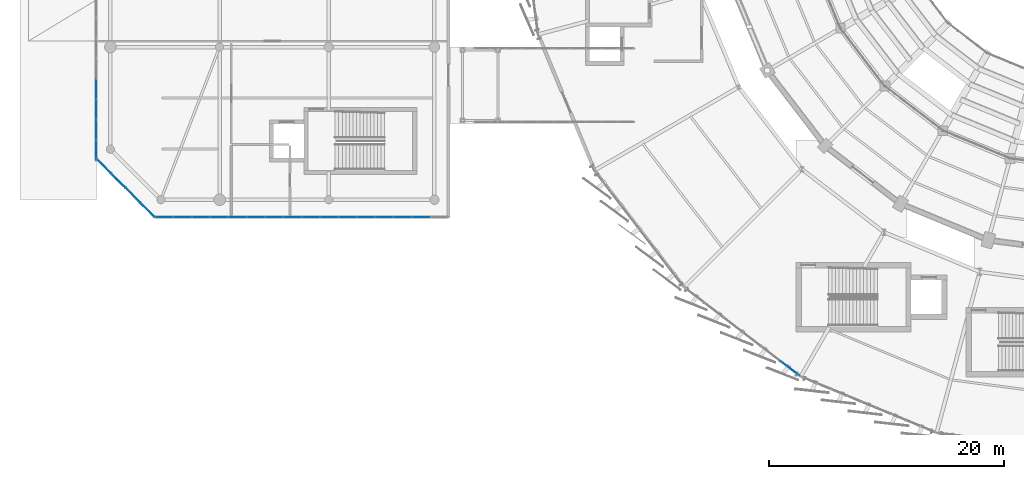
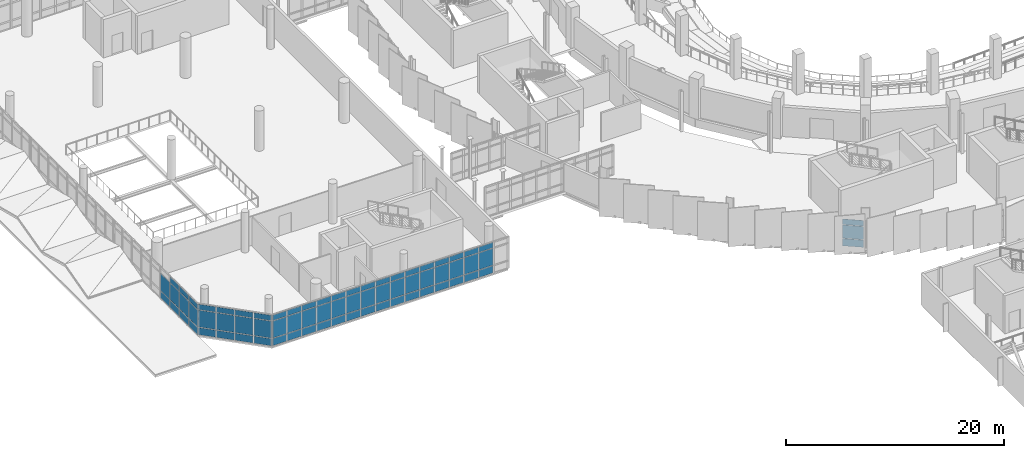
# One storey, part 82 of 134: 71 plates, 4 elements without a shape of their own.
"""IFC4 building model written with IfcOpenShell, lengths in metres."""

import ifcopenshell
import ifcopenshell.guid

model = None  # the IFC model being written
_history = None  # IfcOwnerHistory: only IFC2X3 demands one
_inside = {}  # id of a spatial element -> (the spatial element, [elements in it])
_under = {}  # id of a project, library or spatial element -> (it, [spatial elements below it])
_declared = {}  # id of a project -> (the project, [libraries it declares])
_typed = {}  # id of a type object -> (the type object, [elements of that type])
_made_of = {}  # id of a material, layer set ... -> (it, [elements and type objects made of it])


def new_model(schema):
    """Start an empty IFC model of exactly this schema.

    Asked for "IFC4X3", IfcOpenShell would pick the latest addendum, in which some entities
    have other attributes; the version numbers below select the first issue.
    IFC2X3 requires an IfcOwnerHistory on every rooted entity: one is made here for all.
    """
    global model, _history
    if schema == "IFC4X3":
        model = ifcopenshell.file(schema_version=(4, 3, 0, 0))
    else:
        model = ifcopenshell.file(schema=schema)
    _inside.clear()
    _under.clear()
    _declared.clear()
    _typed.clear()
    _made_of.clear()
    _history = None
    if model.schema == "IFC2X3":
        org = make("IfcOrganization", Name="unknown")
        user = make(
            "IfcPersonAndOrganization",
            ThePerson=make("IfcPerson", FamilyName="unknown"),
            TheOrganization=org,
        )
        app = make(
            "IfcApplication",
            ApplicationDeveloper=org,
            Version="unknown",
            ApplicationFullName="unknown",
            ApplicationIdentifier="unknown",
        )
        _history = make(
            "IfcOwnerHistory",
            OwningUser=user,
            OwningApplication=app,
            ChangeAction="ADDED",
            CreationDate=0,
        )
    return model


def make(cls, **values):
    """One entity of the class cls with the attributes given. An attribute that is None is left unset."""
    return model.create_entity(
        cls, **{name: value for name, value in values.items() if value is not None}
    )


def rooted(cls, **values):
    """An entity with a GlobalId (a new one), such as an element, a storey or a relation."""
    return make(cls, GlobalId=ifcopenshell.guid.new(), OwnerHistory=_history, **values)


def si_unit(unit_type, name, prefix=None):
    """IfcSIUnit, for example si_unit("LENGTHUNIT", "METRE", prefix="MILLI")."""
    return make("IfcSIUnit", UnitType=unit_type, Prefix=prefix, Name=name)


def assignment(units):
    """IfcUnitAssignment: the units of a project."""
    return None if units is None else make("IfcUnitAssignment", Units=units)


def point(xyz):
    """IfcCartesianPoint."""
    return None if xyz is None else make("IfcCartesianPoint", Coordinates=xyz)


def direction(xyz):
    """IfcDirection."""
    return None if xyz is None else make("IfcDirection", DirectionRatios=xyz)


def frame(location, z_axis=None, x_axis=None):
    """IfcAxis2Placement3D, a coordinate frame: its origin and axes. An axis left out is left unset."""
    return make(
        "IfcAxis2Placement3D",
        Location=point(location),
        Axis=direction(z_axis),
        RefDirection=direction(x_axis),
    )


def frame_2d(location, x_axis=None):
    """IfcAxis2Placement2D, a coordinate frame in the plane: its origin and x axis."""
    return make(
        "IfcAxis2Placement2D", Location=point(location), RefDirection=direction(x_axis)
    )


def origin():
    """The frame at (0, 0, 0) with its axes left unset."""
    return frame((0.0, 0.0, 0.0))


def origin_2d():
    """The frame at (0, 0) in the plane with its x axis left unset."""
    return frame_2d((0.0, 0.0))


def place(relative_to, where):
    """IfcLocalPlacement: puts the frame where relative to a parent placement (None: the world)."""
    return make(
        "IfcLocalPlacement", PlacementRelTo=relative_to, RelativePlacement=where
    )


def context(
    kind, dimensions, precision=None, world=None, true_north=None, identifier=None
):
    """IfcGeometricRepresentationContext, for example the 3D "Model" context."""
    return make(
        "IfcGeometricRepresentationContext",
        ContextIdentifier=identifier,
        ContextType=kind,
        CoordinateSpaceDimension=dimensions,
        Precision=precision,
        WorldCoordinateSystem=world,
        TrueNorth=true_north,
    )


def subcontext(parent, identifier, kind, view, scale=None):
    """IfcGeometricRepresentationSubContext, for example "Body" below "Model"."""
    return make(
        "IfcGeometricRepresentationSubContext",
        ContextIdentifier=identifier,
        ContextType=kind,
        ParentContext=parent,
        TargetScale=scale,
        TargetView=view,
    )


def project(units=None, contexts=None):
    """IfcProject with its units and contexts."""
    return rooted(
        "IfcProject",
        Name="project",
        RepresentationContexts=contexts,
        UnitsInContext=assignment(units),
    )


def spatial(cls, under=None, at=None, **own):
    """A site, building, storey or space (cls), placed at a placement, below another one or the project."""
    s = rooted(cls, ObjectPlacement=at, **own)
    if under is not None:
        _under.setdefault(under.id(), (under, []))[1].append(s)
    return s


def profile(cls, at=None, kind="AREA", **sizes):
    """A parametric profile (cls). Its sizes go by their IFC names, for example OverallWidth=200.0."""
    return make(cls, ProfileType=kind, Position=at, **sizes)


def rectangle(**sizes):
    """IfcRectangleProfileDef."""
    return profile("IfcRectangleProfileDef", **sizes)


def extrude(swept, where, along, depth):
    """IfcExtrudedAreaSolid: the profile swept, set in the frame where, extruded along a direction by depth."""
    return make(
        "IfcExtrudedAreaSolid",
        SweptArea=swept,
        Position=where,
        ExtrudedDirection=direction(along),
        Depth=depth,
    )


def shape(context_of_items, identifier, shape_type, items):
    """IfcShapeRepresentation: the items that make up one representation, for example the "Body"."""
    return make(
        "IfcShapeRepresentation",
        ContextOfItems=context_of_items,
        RepresentationIdentifier=identifier,
        RepresentationType=shape_type,
        Items=items,
    )


def material(Name=None, Category=None):
    """IfcMaterial."""
    return make("IfcMaterial", Name=Name, Category=Category)


def layer(
    of_material, thickness, ventilated=None, Name=None, Category=None, Priority=None
):
    """IfcMaterialLayer: one layer of a wall or slab, of a material (None: an air gap)."""
    return make(
        "IfcMaterialLayer",
        Material=of_material,
        LayerThickness=thickness,
        IsVentilated=ventilated,
        Name=Name,
        Category=Category,
        Priority=Priority,
    )


def layer_set(layers, Name=None):
    """IfcMaterialLayerSet."""
    return make("IfcMaterialLayerSet", MaterialLayers=layers, LayerSetName=Name)


def made_of(thing, what):
    """Note that an element or type object is made of a material, layer set ...; save() writes the relation."""
    if what is not None:
        _made_of.setdefault(what.id(), (what, []))[1].append(thing)
    return thing


def type_object(cls, material=None, **own):
    """A type object (cls), such as IfcWallType, which elements share."""
    return made_of(rooted(cls, **own), material)


def element(
    cls,
    number,
    at=None,
    inside=None,
    cuts=None,
    type_object=None,
    material=None,
    context=None,
    identifier="Body",
    shape_type=None,
    held_by="IfcProductDefinitionShape",
    body=None,
    shapes=None,
    **own,
):
    """One element of the class cls, such as IfcWall. Its Tag is "e" and its number.

    at: its placement. inside: the storey or other place that contains it. cuts: it is an
    opening in that element (IfcRelVoidsElement). A single representation is given by context,
    identifier, shape_type and body (its items); several are given by shapes. held_by: the class
    of the entity that holds the representations. save() writes the other relations.
    """
    e = rooted(cls, Tag="e%d" % number, ObjectPlacement=at, **own)
    if body is not None:
        shapes = [shape(context, identifier, shape_type, body)]
    if shapes is not None:
        e.Representation = make(held_by, Representations=shapes)
    if inside is not None:
        _inside.setdefault(inside.id(), (inside, []))[1].append(e)
    if cuts is not None:
        rooted(
            "IfcRelVoidsElement", RelatingBuildingElement=cuts, RelatedOpeningElement=e
        )
    if type_object is not None:
        _typed.setdefault(type_object.id(), (type_object, []))[1].append(e)
    return made_of(e, material)


def aggregate(whole, parts):
    """IfcRelAggregates: a whole, such as a stair, and the parts it consists of."""
    return rooted("IfcRelAggregates", RelatingObject=whole, RelatedObjects=parts)


def save(model, path):
    """Write the relations noted so far, then the file.

    IfcRelAggregates (storeys below a building ...), IfcRelContainedInSpatialStructure (elements
    in a storey), IfcRelDefinesByType, IfcRelAssociatesMaterial and IfcRelDeclares: one each for
    every whole, place, type object, material and project.
    """
    for whole, parts in _under.values():
        aggregate(whole, parts)
    for where, things in _inside.values():
        rooted(
            "IfcRelContainedInSpatialStructure",
            RelatedElements=things,
            RelatingStructure=where,
        )
    for kind, things in _typed.values():
        rooted("IfcRelDefinesByType", RelatedObjects=things, RelatingType=kind)
    for what, things in _made_of.values():
        rooted("IfcRelAssociatesMaterial", RelatedObjects=things, RelatingMaterial=what)
    for by, libraries in _declared.values():
        rooted("IfcRelDeclares", RelatingContext=by, RelatedDefinitions=libraries)
    model.write(path)


model = new_model("IFC4")

# Units and contexts
model_context = context("Model", 3, precision=1e-05, world=origin(), true_north=direction((0.0, 1.0)))
body_context = subcontext(model_context, "Body", "Model", "MODEL_VIEW")
ifc_project = project(units=[si_unit("LENGTHUNIT", "METRE"), si_unit("AREAUNIT", "SQUARE_METRE"), si_unit("VOLUMEUNIT", "CUBIC_METRE"), si_unit("PLANEANGLEUNIT", "RADIAN"), si_unit("MASSUNIT", "GRAM", prefix="KILO")], contexts=[model_context])

# Site, building, storey
site_placement = place(None, origin())
site = spatial("IfcSite", under=ifc_project, at=site_placement, CompositionType="ELEMENT")
building_placement = place(site_placement, origin())
building = spatial("IfcBuilding", under=site, at=building_placement, Name="Sohan Crest Arena", CompositionType="ELEMENT")
storey_placement = place(building_placement, frame((0.0, 0.0, 4.5)))
storey = spatial("IfcBuildingStorey", under=building, at=storey_placement, Name="L01", CompositionType="ELEMENT", Elevation=4.5)

# Curtain wall, plates
ifc_material_1 = material(Name="Thermally broken anodised aluminium", Category="aluminium")
ifc_layer_1 = layer(ifc_material_1, 0.199951171875, Name="Thermally broken anodised aluminium")
ifc_layer_set_1 = layer_set([ifc_layer_1], Name="Thermally broken anodised aluminium")
curtain_wall_type_1 = type_object("IfcCurtainWallType", Name="ARC-CW02", PredefinedType="NOTDEFINED", material=ifc_layer_set_1)
curtain_wall_1_placement = place(storey_placement, origin())
curtain_wall_1 = element("IfcCurtainWall", 1, at=curtain_wall_1_placement, inside=storey, type_object=curtain_wall_type_1, Name="Unitised curtain wall CW-206", PredefinedType="NOTDEFINED")
ifc_material_2 = material(Name="Low-E double-glazed insulated glass", Category="glass")
ifc_layer_2 = layer(ifc_material_2, 0.028076171875, Name="Low-E double-glazed insulated glass")
ifc_layer_set_2 = layer_set([ifc_layer_2], Name="Low-E double-glazed insulated glass")
plate_type_1 = type_object("IfcPlateType", Name="ARC-CNP01", PredefinedType="CURTAIN_PANEL", material=ifc_layer_set_2)
plate_1_placement = place(storey_placement, frame((19.797607421875, 50.0, 0.06005859375), z_axis=(0.0, 0.0, 1.0), x_axis=(1.0, 0.0, 0.0)))
plate_1 = element("IfcPlate", 2, at=plate_1_placement, type_object=plate_type_1, Name="CW-206 panel 1.1", PredefinedType="CURTAIN_PANEL", context=body_context, shape_type="SweptSolid", body=[
    extrude(rectangle(XDim=1.465087890625, YDim=0.028076171875, at=origin_2d()), origin(), (0.0, 0.0, 1.0), 0.81005859375),
])
plate_2_placement = place(storey_placement, frame((19.797607421875, 50.0, 0.93017578125), z_axis=(0.0, 0.0, 1.0), x_axis=(1.0, 0.0, 0.0)))
plate_2 = element("IfcPlate", 3, at=plate_2_placement, type_object=plate_type_1, Name="CW-206 panel 1.2", PredefinedType="CURTAIN_PANEL", context=body_context, shape_type="SweptSolid", body=[
    extrude(rectangle(XDim=1.465087890625, YDim=0.028076171875, at=origin_2d()), origin(), (0.0, 0.0, 1.0), 1.889892578125),
])
plate_3_placement = place(storey_placement, frame((19.797607421875, 50.0, 2.8798828125), z_axis=(0.0, 0.0, 1.0), x_axis=(1.0, 0.0, 0.0)))
plate_3 = element("IfcPlate", 4, at=plate_3_placement, type_object=plate_type_1, Name="CW-206 panel 1.3", PredefinedType="CURTAIN_PANEL", context=body_context, shape_type="SweptSolid", body=[
    extrude(rectangle(XDim=1.465087890625, YDim=0.028076171875, at=origin_2d()), origin(), (0.0, 0.0, 1.0), 0.610107421875),
])
plate_4_placement = place(storey_placement, frame((21.34375, 50.0, 0.06005859375), z_axis=(0.0, 0.0, 1.0), x_axis=(1.0, 0.0, 0.0)))
plate_4 = element("IfcPlate", 5, at=plate_4_placement, type_object=plate_type_1, Name="CW-206 panel 2.1", PredefinedType="CURTAIN_PANEL", context=body_context, shape_type="SweptSolid", body=[
    extrude(rectangle(XDim=1.49755859375, YDim=0.028076171875, at=origin_2d()), origin(), (0.0, 0.0, 1.0), 0.81005859375),
])
plate_5_placement = place(storey_placement, frame((21.34375, 50.0, 0.93017578125), z_axis=(0.0, 0.0, 1.0), x_axis=(1.0, 0.0, 0.0)))
plate_5 = element("IfcPlate", 6, at=plate_5_placement, type_object=plate_type_1, Name="CW-206 panel 2.2", PredefinedType="CURTAIN_PANEL", context=body_context, shape_type="SweptSolid", body=[
    extrude(rectangle(XDim=1.49755859375, YDim=0.028076171875, at=origin_2d()), origin(), (0.0, 0.0, 1.0), 1.889892578125),
])
plate_6_placement = place(storey_placement, frame((21.34375, 50.0, 2.8798828125), z_axis=(0.0, 0.0, 1.0), x_axis=(1.0, 0.0, 0.0)))
plate_6 = element("IfcPlate", 7, at=plate_6_placement, type_object=plate_type_1, Name="CW-206 panel 2.3", PredefinedType="CURTAIN_PANEL", context=body_context, shape_type="SweptSolid", body=[
    extrude(rectangle(XDim=1.49755859375, YDim=0.028076171875, at=origin_2d()), origin(), (0.0, 0.0, 1.0), 0.610107421875),
])
plate_7_placement = place(storey_placement, frame((22.90625, 50.0, 0.06005859375), z_axis=(0.0, 0.0, 1.0), x_axis=(1.0, 0.0, 0.0)))
plate_7 = element("IfcPlate", 8, at=plate_7_placement, type_object=plate_type_1, Name="CW-206 panel 3.1", PredefinedType="CURTAIN_PANEL", context=body_context, shape_type="SweptSolid", body=[
    extrude(rectangle(XDim=1.49755859375, YDim=0.028076171875, at=origin_2d()), origin(), (0.0, 0.0, 1.0), 0.81005859375),
])
plate_8_placement = place(storey_placement, frame((22.90625, 50.0, 0.93017578125), z_axis=(0.0, 0.0, 1.0), x_axis=(1.0, 0.0, 0.0)))
plate_8 = element("IfcPlate", 9, at=plate_8_placement, type_object=plate_type_1, Name="CW-206 panel 3.2", PredefinedType="CURTAIN_PANEL", context=body_context, shape_type="SweptSolid", body=[
    extrude(rectangle(XDim=1.49755859375, YDim=0.028076171875, at=origin_2d()), origin(), (0.0, 0.0, 1.0), 1.889892578125),
])
plate_9_placement = place(storey_placement, frame((22.90625, 50.0, 2.8798828125), z_axis=(0.0, 0.0, 1.0), x_axis=(1.0, 0.0, 0.0)))
plate_9 = element("IfcPlate", 10, at=plate_9_placement, type_object=plate_type_1, Name="CW-206 panel 3.3", PredefinedType="CURTAIN_PANEL", context=body_context, shape_type="SweptSolid", body=[
    extrude(rectangle(XDim=1.49755859375, YDim=0.028076171875, at=origin_2d()), origin(), (0.0, 0.0, 1.0), 0.610107421875),
])
plate_10_placement = place(storey_placement, frame((24.46875, 50.0, 0.06005859375), z_axis=(0.0, 0.0, 1.0), x_axis=(1.0, 0.0, 0.0)))
plate_10 = element("IfcPlate", 11, at=plate_10_placement, type_object=plate_type_1, Name="CW-206 panel 4.1", PredefinedType="CURTAIN_PANEL", context=body_context, shape_type="SweptSolid", body=[
    extrude(rectangle(XDim=1.49755859375, YDim=0.028076171875, at=origin_2d()), origin(), (0.0, 0.0, 1.0), 0.81005859375),
])
plate_11_placement = place(storey_placement, frame((24.46875, 50.0, 0.93017578125), z_axis=(0.0, 0.0, 1.0), x_axis=(1.0, 0.0, 0.0)))
plate_11 = element("IfcPlate", 12, at=plate_11_placement, type_object=plate_type_1, Name="CW-206 panel 4.2", PredefinedType="CURTAIN_PANEL", context=body_context, shape_type="SweptSolid", body=[
    extrude(rectangle(XDim=1.49755859375, YDim=0.028076171875, at=origin_2d()), origin(), (0.0, 0.0, 1.0), 1.889892578125),
])
plate_12_placement = place(storey_placement, frame((24.46875, 50.0, 2.8798828125), z_axis=(0.0, 0.0, 1.0), x_axis=(1.0, 0.0, 0.0)))
plate_12 = element("IfcPlate", 13, at=plate_12_placement, type_object=plate_type_1, Name="CW-206 panel 4.3", PredefinedType="CURTAIN_PANEL", context=body_context, shape_type="SweptSolid", body=[
    extrude(rectangle(XDim=1.49755859375, YDim=0.028076171875, at=origin_2d()), origin(), (0.0, 0.0, 1.0), 0.610107421875),
])
plate_13_placement = place(storey_placement, frame((26.03125, 50.0, 0.06005859375), z_axis=(0.0, 0.0, 1.0), x_axis=(1.0, 0.0, 0.0)))
plate_13 = element("IfcPlate", 14, at=plate_13_placement, type_object=plate_type_1, Name="CW-206 panel 5.1", PredefinedType="CURTAIN_PANEL", context=body_context, shape_type="SweptSolid", body=[
    extrude(rectangle(XDim=1.49755859375, YDim=0.028076171875, at=origin_2d()), origin(), (0.0, 0.0, 1.0), 0.81005859375),
])
plate_14_placement = place(storey_placement, frame((26.03125, 50.0, 0.93017578125), z_axis=(0.0, 0.0, 1.0), x_axis=(1.0, 0.0, 0.0)))
plate_14 = element("IfcPlate", 15, at=plate_14_placement, type_object=plate_type_1, Name="CW-206 panel 5.2", PredefinedType="CURTAIN_PANEL", context=body_context, shape_type="SweptSolid", body=[
    extrude(rectangle(XDim=1.49755859375, YDim=0.028076171875, at=origin_2d()), origin(), (0.0, 0.0, 1.0), 1.889892578125),
])
plate_15_placement = place(storey_placement, frame((26.03125, 50.0, 2.8798828125), z_axis=(0.0, 0.0, 1.0), x_axis=(1.0, 0.0, 0.0)))
plate_15 = element("IfcPlate", 16, at=plate_15_placement, type_object=plate_type_1, Name="CW-206 panel 5.3", PredefinedType="CURTAIN_PANEL", context=body_context, shape_type="SweptSolid", body=[
    extrude(rectangle(XDim=1.49755859375, YDim=0.028076171875, at=origin_2d()), origin(), (0.0, 0.0, 1.0), 0.610107421875),
])
plate_16_placement = place(storey_placement, frame((27.59375, 50.0, 0.06005859375), z_axis=(0.0, 0.0, 1.0), x_axis=(1.0, 0.0, 0.0)))
plate_16 = element("IfcPlate", 17, at=plate_16_placement, type_object=plate_type_1, Name="CW-206 panel 6.1", PredefinedType="CURTAIN_PANEL", context=body_context, shape_type="SweptSolid", body=[
    extrude(rectangle(XDim=1.49755859375, YDim=0.028076171875, at=origin_2d()), origin(), (0.0, 0.0, 1.0), 0.81005859375),
])
plate_17_placement = place(storey_placement, frame((27.59375, 50.0, 0.93017578125), z_axis=(0.0, 0.0, 1.0), x_axis=(1.0, 0.0, 0.0)))
plate_17 = element("IfcPlate", 18, at=plate_17_placement, type_object=plate_type_1, Name="CW-206 panel 6.2", PredefinedType="CURTAIN_PANEL", context=body_context, shape_type="SweptSolid", body=[
    extrude(rectangle(XDim=1.49755859375, YDim=0.028076171875, at=origin_2d()), origin(), (0.0, 0.0, 1.0), 1.889892578125),
])
plate_18_placement = place(storey_placement, frame((27.59375, 50.0, 2.8798828125), z_axis=(0.0, 0.0, 1.0), x_axis=(1.0, 0.0, 0.0)))
plate_18 = element("IfcPlate", 19, at=plate_18_placement, type_object=plate_type_1, Name="CW-206 panel 6.3", PredefinedType="CURTAIN_PANEL", context=body_context, shape_type="SweptSolid", body=[
    extrude(rectangle(XDim=1.49755859375, YDim=0.028076171875, at=origin_2d()), origin(), (0.0, 0.0, 1.0), 0.610107421875),
])
plate_19_placement = place(storey_placement, frame((29.15625, 50.0, 0.06005859375), z_axis=(0.0, 0.0, 1.0), x_axis=(1.0, 0.0, 0.0)))
plate_19 = element("IfcPlate", 20, at=plate_19_placement, type_object=plate_type_1, Name="CW-206 panel 7.1", PredefinedType="CURTAIN_PANEL", context=body_context, shape_type="SweptSolid", body=[
    extrude(rectangle(XDim=1.49755859375, YDim=0.028076171875, at=origin_2d()), origin(), (0.0, 0.0, 1.0), 0.81005859375),
])
plate_20_placement = place(storey_placement, frame((29.15625, 50.0, 0.93017578125), z_axis=(0.0, 0.0, 1.0), x_axis=(1.0, 0.0, 0.0)))
plate_20 = element("IfcPlate", 21, at=plate_20_placement, type_object=plate_type_1, Name="CW-206 panel 7.2", PredefinedType="CURTAIN_PANEL", context=body_context, shape_type="SweptSolid", body=[
    extrude(rectangle(XDim=1.49755859375, YDim=0.028076171875, at=origin_2d()), origin(), (0.0, 0.0, 1.0), 1.889892578125),
])
plate_21_placement = place(storey_placement, frame((29.15625, 50.0, 2.8798828125), z_axis=(0.0, 0.0, 1.0), x_axis=(1.0, 0.0, 0.0)))
plate_21 = element("IfcPlate", 22, at=plate_21_placement, type_object=plate_type_1, Name="CW-206 panel 7.3", PredefinedType="CURTAIN_PANEL", context=body_context, shape_type="SweptSolid", body=[
    extrude(rectangle(XDim=1.49755859375, YDim=0.028076171875, at=origin_2d()), origin(), (0.0, 0.0, 1.0), 0.610107421875),
])
plate_22_placement = place(storey_placement, frame((30.71875, 50.0, 0.06005859375), z_axis=(0.0, 0.0, 1.0), x_axis=(1.0, 0.0, 0.0)))
plate_22 = element("IfcPlate", 23, at=plate_22_placement, type_object=plate_type_1, Name="CW-206 panel 8.1", PredefinedType="CURTAIN_PANEL", context=body_context, shape_type="SweptSolid", body=[
    extrude(rectangle(XDim=1.49755859375, YDim=0.028076171875, at=origin_2d()), origin(), (0.0, 0.0, 1.0), 0.81005859375),
])
plate_23_placement = place(storey_placement, frame((30.71875, 50.0, 0.93017578125), z_axis=(0.0, 0.0, 1.0), x_axis=(1.0, 0.0, 0.0)))
plate_23 = element("IfcPlate", 24, at=plate_23_placement, type_object=plate_type_1, Name="CW-206 panel 8.2", PredefinedType="CURTAIN_PANEL", context=body_context, shape_type="SweptSolid", body=[
    extrude(rectangle(XDim=1.49755859375, YDim=0.028076171875, at=origin_2d()), origin(), (0.0, 0.0, 1.0), 1.889892578125),
])
plate_24_placement = place(storey_placement, frame((30.71875, 50.0, 2.8798828125), z_axis=(0.0, 0.0, 1.0), x_axis=(1.0, 0.0, 0.0)))
plate_24 = element("IfcPlate", 25, at=plate_24_placement, type_object=plate_type_1, Name="CW-206 panel 8.3", PredefinedType="CURTAIN_PANEL", context=body_context, shape_type="SweptSolid", body=[
    extrude(rectangle(XDim=1.49755859375, YDim=0.028076171875, at=origin_2d()), origin(), (0.0, 0.0, 1.0), 0.610107421875),
])
plate_25_placement = place(storey_placement, frame((32.28125, 50.0, 0.06005859375), z_axis=(0.0, 0.0, 1.0), x_axis=(1.0, 0.0, 0.0)))
plate_25 = element("IfcPlate", 26, at=plate_25_placement, type_object=plate_type_1, Name="CW-206 panel 9.1", PredefinedType="CURTAIN_PANEL", context=body_context, shape_type="SweptSolid", body=[
    extrude(rectangle(XDim=1.49755859375, YDim=0.028076171875, at=origin_2d()), origin(), (0.0, 0.0, 1.0), 0.81005859375),
])
plate_26_placement = place(storey_placement, frame((32.28125, 50.0, 0.93017578125), z_axis=(0.0, 0.0, 1.0), x_axis=(1.0, 0.0, 0.0)))
plate_26 = element("IfcPlate", 27, at=plate_26_placement, type_object=plate_type_1, Name="CW-206 panel 9.2", PredefinedType="CURTAIN_PANEL", context=body_context, shape_type="SweptSolid", body=[
    extrude(rectangle(XDim=1.49755859375, YDim=0.028076171875, at=origin_2d()), origin(), (0.0, 0.0, 1.0), 1.889892578125),
])
plate_27_placement = place(storey_placement, frame((32.28125, 50.0, 2.8798828125), z_axis=(0.0, 0.0, 1.0), x_axis=(1.0, 0.0, 0.0)))
plate_27 = element("IfcPlate", 28, at=plate_27_placement, type_object=plate_type_1, Name="CW-206 panel 9.3", PredefinedType="CURTAIN_PANEL", context=body_context, shape_type="SweptSolid", body=[
    extrude(rectangle(XDim=1.49755859375, YDim=0.028076171875, at=origin_2d()), origin(), (0.0, 0.0, 1.0), 0.610107421875),
])
plate_28_placement = place(storey_placement, frame((33.84375, 50.0, 0.06005859375), z_axis=(0.0, 0.0, 1.0), x_axis=(1.0, 0.0, 0.0)))
plate_28 = element("IfcPlate", 29, at=plate_28_placement, type_object=plate_type_1, Name="CW-206 panel 10.1", PredefinedType="CURTAIN_PANEL", context=body_context, shape_type="SweptSolid", body=[
    extrude(rectangle(XDim=1.49755859375, YDim=0.028076171875, at=origin_2d()), origin(), (0.0, 0.0, 1.0), 0.81005859375),
])
plate_29_placement = place(storey_placement, frame((33.84375, 50.0, 0.93017578125), z_axis=(0.0, 0.0, 1.0), x_axis=(1.0, 0.0, 0.0)))
plate_29 = element("IfcPlate", 30, at=plate_29_placement, type_object=plate_type_1, Name="CW-206 panel 10.2", PredefinedType="CURTAIN_PANEL", context=body_context, shape_type="SweptSolid", body=[
    extrude(rectangle(XDim=1.49755859375, YDim=0.028076171875, at=origin_2d()), origin(), (0.0, 0.0, 1.0), 1.889892578125),
])
plate_30_placement = place(storey_placement, frame((33.84375, 50.0, 2.8798828125), z_axis=(0.0, 0.0, 1.0), x_axis=(1.0, 0.0, 0.0)))
plate_30 = element("IfcPlate", 31, at=plate_30_placement, type_object=plate_type_1, Name="CW-206 panel 10.3", PredefinedType="CURTAIN_PANEL", context=body_context, shape_type="SweptSolid", body=[
    extrude(rectangle(XDim=1.49755859375, YDim=0.028076171875, at=origin_2d()), origin(), (0.0, 0.0, 1.0), 0.610107421875),
])
plate_31_placement = place(storey_placement, frame((35.40625, 50.0, 0.06005859375), z_axis=(0.0, 0.0, 1.0), x_axis=(1.0, 0.0, 0.0)))
plate_31 = element("IfcPlate", 32, at=plate_31_placement, type_object=plate_type_1, Name="CW-206 panel 11.1", PredefinedType="CURTAIN_PANEL", context=body_context, shape_type="SweptSolid", body=[
    extrude(rectangle(XDim=1.49755859375, YDim=0.028076171875, at=origin_2d()), origin(), (0.0, 0.0, 1.0), 0.81005859375),
])
plate_32_placement = place(storey_placement, frame((35.40625, 50.0, 0.93017578125), z_axis=(0.0, 0.0, 1.0), x_axis=(1.0, 0.0, 0.0)))
plate_32 = element("IfcPlate", 33, at=plate_32_placement, type_object=plate_type_1, Name="CW-206 panel 11.2", PredefinedType="CURTAIN_PANEL", context=body_context, shape_type="SweptSolid", body=[
    extrude(rectangle(XDim=1.49755859375, YDim=0.028076171875, at=origin_2d()), origin(), (0.0, 0.0, 1.0), 1.889892578125),
])
plate_33_placement = place(storey_placement, frame((35.40625, 50.0, 2.8798828125), z_axis=(0.0, 0.0, 1.0), x_axis=(1.0, 0.0, 0.0)))
plate_33 = element("IfcPlate", 34, at=plate_33_placement, type_object=plate_type_1, Name="CW-206 panel 11.3", PredefinedType="CURTAIN_PANEL", context=body_context, shape_type="SweptSolid", body=[
    extrude(rectangle(XDim=1.49755859375, YDim=0.028076171875, at=origin_2d()), origin(), (0.0, 0.0, 1.0), 0.610107421875),
])
plate_34_placement = place(storey_placement, frame((36.96875, 50.0, 0.06005859375), z_axis=(0.0, 0.0, 1.0), x_axis=(1.0, 0.0, 0.0)))
plate_34 = element("IfcPlate", 35, at=plate_34_placement, type_object=plate_type_1, Name="CW-206 panel 12.1", PredefinedType="CURTAIN_PANEL", context=body_context, shape_type="SweptSolid", body=[
    extrude(rectangle(XDim=1.49755859375, YDim=0.028076171875, at=origin_2d()), origin(), (0.0, 0.0, 1.0), 0.81005859375),
])
plate_35_placement = place(storey_placement, frame((36.96875, 50.0, 0.93017578125), z_axis=(0.0, 0.0, 1.0), x_axis=(1.0, 0.0, 0.0)))
plate_35 = element("IfcPlate", 36, at=plate_35_placement, type_object=plate_type_1, Name="CW-206 panel 12.2", PredefinedType="CURTAIN_PANEL", context=body_context, shape_type="SweptSolid", body=[
    extrude(rectangle(XDim=1.49755859375, YDim=0.028076171875, at=origin_2d()), origin(), (0.0, 0.0, 1.0), 1.889892578125),
])
plate_36_placement = place(storey_placement, frame((36.96875, 50.0, 2.8798828125), z_axis=(0.0, 0.0, 1.0), x_axis=(1.0, 0.0, 0.0)))
plate_36 = element("IfcPlate", 37, at=plate_36_placement, type_object=plate_type_1, Name="CW-206 panel 12.3", PredefinedType="CURTAIN_PANEL", context=body_context, shape_type="SweptSolid", body=[
    extrude(rectangle(XDim=1.49755859375, YDim=0.028076171875, at=origin_2d()), origin(), (0.0, 0.0, 1.0), 0.610107421875),
])
plate_37_placement = place(storey_placement, frame((38.53125, 50.0, 0.06005859375), z_axis=(0.0, 0.0, 1.0), x_axis=(1.0, 0.0, 0.0)))
plate_37 = element("IfcPlate", 38, at=plate_37_placement, type_object=plate_type_1, Name="CW-206 panel 13.1", PredefinedType="CURTAIN_PANEL", context=body_context, shape_type="SweptSolid", body=[
    extrude(rectangle(XDim=1.49755859375, YDim=0.028076171875, at=origin_2d()), origin(), (0.0, 0.0, 1.0), 0.81005859375),
])
plate_38_placement = place(storey_placement, frame((38.53125, 50.0, 0.93017578125), z_axis=(0.0, 0.0, 1.0), x_axis=(1.0, 0.0, 0.0)))
plate_38 = element("IfcPlate", 39, at=plate_38_placement, type_object=plate_type_1, Name="CW-206 panel 13.2", PredefinedType="CURTAIN_PANEL", context=body_context, shape_type="SweptSolid", body=[
    extrude(rectangle(XDim=1.49755859375, YDim=0.028076171875, at=origin_2d()), origin(), (0.0, 0.0, 1.0), 1.889892578125),
])
plate_39_placement = place(storey_placement, frame((38.53125, 50.0, 2.8798828125), z_axis=(0.0, 0.0, 1.0), x_axis=(1.0, 0.0, 0.0)))
plate_39 = element("IfcPlate", 40, at=plate_39_placement, type_object=plate_type_1, Name="CW-206 panel 13.3", PredefinedType="CURTAIN_PANEL", context=body_context, shape_type="SweptSolid", body=[
    extrude(rectangle(XDim=1.49755859375, YDim=0.028076171875, at=origin_2d()), origin(), (0.0, 0.0, 1.0), 0.610107421875),
])
plate_40_placement = place(storey_placement, frame((40.09375, 50.0, 0.06005859375), z_axis=(0.0, 0.0, 1.0), x_axis=(1.0, 0.0, 0.0)))
plate_40 = element("IfcPlate", 41, at=plate_40_placement, type_object=plate_type_1, Name="CW-206 panel 14.1", PredefinedType="CURTAIN_PANEL", context=body_context, shape_type="SweptSolid", body=[
    extrude(rectangle(XDim=1.49755859375, YDim=0.028076171875, at=origin_2d()), origin(), (0.0, 0.0, 1.0), 0.81005859375),
])
plate_41_placement = place(storey_placement, frame((40.09375, 50.0, 0.93017578125), z_axis=(0.0, 0.0, 1.0), x_axis=(1.0, 0.0, 0.0)))
plate_41 = element("IfcPlate", 42, at=plate_41_placement, type_object=plate_type_1, Name="CW-206 panel 14.2", PredefinedType="CURTAIN_PANEL", context=body_context, shape_type="SweptSolid", body=[
    extrude(rectangle(XDim=1.49755859375, YDim=0.028076171875, at=origin_2d()), origin(), (0.0, 0.0, 1.0), 1.889892578125),
])
plate_42_placement = place(storey_placement, frame((40.09375, 50.0, 2.8798828125), z_axis=(0.0, 0.0, 1.0), x_axis=(1.0, 0.0, 0.0)))
plate_42 = element("IfcPlate", 43, at=plate_42_placement, type_object=plate_type_1, Name="CW-206 panel 14.3", PredefinedType="CURTAIN_PANEL", context=body_context, shape_type="SweptSolid", body=[
    extrude(rectangle(XDim=1.49755859375, YDim=0.028076171875, at=origin_2d()), origin(), (0.0, 0.0, 1.0), 0.610107421875),
])
plate_43_placement = place(storey_placement, frame((41.65625, 50.0, 0.06005859375), z_axis=(0.0, 0.0, 1.0), x_axis=(1.0, 0.0, 0.0)))
plate_43 = element("IfcPlate", 44, at=plate_43_placement, type_object=plate_type_1, Name="CW-206 panel 15.1", PredefinedType="CURTAIN_PANEL", context=body_context, shape_type="SweptSolid", body=[
    extrude(rectangle(XDim=1.49755859375, YDim=0.028076171875, at=origin_2d()), origin(), (0.0, 0.0, 1.0), 0.81005859375),
])
plate_44_placement = place(storey_placement, frame((41.65625, 50.0, 0.93017578125), z_axis=(0.0, 0.0, 1.0), x_axis=(1.0, 0.0, 0.0)))
plate_44 = element("IfcPlate", 45, at=plate_44_placement, type_object=plate_type_1, Name="CW-206 panel 15.2", PredefinedType="CURTAIN_PANEL", context=body_context, shape_type="SweptSolid", body=[
    extrude(rectangle(XDim=1.49755859375, YDim=0.028076171875, at=origin_2d()), origin(), (0.0, 0.0, 1.0), 1.889892578125),
])
plate_45_placement = place(storey_placement, frame((41.65625, 50.0, 2.8798828125), z_axis=(0.0, 0.0, 1.0), x_axis=(1.0, 0.0, 0.0)))
plate_45 = element("IfcPlate", 46, at=plate_45_placement, type_object=plate_type_1, Name="CW-206 panel 15.3", PredefinedType="CURTAIN_PANEL", context=body_context, shape_type="SweptSolid", body=[
    extrude(rectangle(XDim=1.49755859375, YDim=0.028076171875, at=origin_2d()), origin(), (0.0, 0.0, 1.0), 0.610107421875),
])
aggregate(curtain_wall_1, [plate_1, plate_2, plate_3, plate_4, plate_5, plate_6, plate_7, plate_8, plate_9, plate_10, plate_11, plate_12, plate_13, plate_14, plate_15, plate_16, plate_17, plate_18, plate_19, plate_20, plate_21, plate_22, plate_23, plate_24, plate_25, plate_26, plate_27, plate_28, plate_29, plate_30, plate_31, plate_32, plate_33, plate_34, plate_35, plate_36, plate_37, plate_38, plate_39, plate_40, plate_41, plate_42, plate_43, plate_44, plate_45])

ifc_layer_3 = layer(ifc_material_1, 0.219970703125, Name="Thermally broken anodised aluminium")
ifc_layer_set_3 = layer_set([ifc_layer_3], Name="Thermally broken anodised aluminium")
curtain_wall_type_2 = type_object("IfcCurtainWallType", Name="ARC-CW03", PredefinedType="NOTDEFINED", material=ifc_layer_set_3)
curtain_wall_2_placement = place(storey_placement, origin())
curtain_wall_2 = element("IfcCurtainWall", 47, at=curtain_wall_2_placement, inside=storey, type_object=curtain_wall_type_2, Name="Unitised curtain wall CW-211", PredefinedType="NOTDEFINED")
plate_46_placement = place(storey_placement, frame((14.0, 60.929443359375, 0.06494140625), z_axis=(0.0, 0.0, 1.0), x_axis=(0.0, -1.0, 0.0)))
plate_46 = element("IfcPlate", 48, at=plate_46_placement, type_object=plate_type_1, Name="CW-211 panel 6.1", PredefinedType="CURTAIN_PANEL", context=body_context, shape_type="SweptSolid", body=[
    extrude(rectangle(XDim=1.6669921875, YDim=0.028076171875, at=origin_2d()), origin(), (0.0, 0.0, 1.0), 0.802490234375),
])
plate_47_placement = place(storey_placement, frame((14.0, 60.929443359375, 0.9326171875), z_axis=(0.0, 0.0, 1.0), x_axis=(0.0, -1.0, 0.0)))
plate_47 = element("IfcPlate", 49, at=plate_47_placement, type_object=plate_type_1, Name="CW-211 panel 6.2", PredefinedType="CURTAIN_PANEL", context=body_context, shape_type="SweptSolid", body=[
    extrude(rectangle(XDim=1.6669921875, YDim=0.028076171875, at=origin_2d()), origin(), (0.0, 0.0, 1.0), 1.885009765625),
])
plate_48_placement = place(storey_placement, frame((14.0, 59.1923828125, 0.06494140625), z_axis=(0.0, 0.0, 1.0), x_axis=(0.0, -1.0, 0.0)))
plate_48 = element("IfcPlate", 50, at=plate_48_placement, type_object=plate_type_1, Name="CW-211 panel 7.1", PredefinedType="CURTAIN_PANEL", context=body_context, shape_type="SweptSolid", body=[
    extrude(rectangle(XDim=1.6669921875, YDim=0.028076171875, at=origin_2d()), origin(), (0.0, 0.0, 1.0), 0.802490234375),
])
plate_49_placement = place(storey_placement, frame((14.0, 59.1923828125, 0.9326171875), z_axis=(0.0, 0.0, 1.0), x_axis=(0.0, -1.0, 0.0)))
plate_49 = element("IfcPlate", 51, at=plate_49_placement, type_object=plate_type_1, Name="CW-211 panel 7.2", PredefinedType="CURTAIN_PANEL", context=body_context, shape_type="SweptSolid", body=[
    extrude(rectangle(XDim=1.6669921875, YDim=0.028076171875, at=origin_2d()), origin(), (0.0, 0.0, 1.0), 1.885009765625),
])
plate_50_placement = place(storey_placement, frame((14.0, 59.1923828125, 2.882568359375), z_axis=(0.0, 0.0, 1.0), x_axis=(0.0, -1.0, 0.0)))
plate_50 = element("IfcPlate", 52, at=plate_50_placement, type_object=plate_type_1, Name="CW-211 panel 7.3", PredefinedType="CURTAIN_PANEL", context=body_context, shape_type="SweptSolid", body=[
    extrude(rectangle(XDim=1.6669921875, YDim=0.028076171875, at=origin_2d()), origin(), (0.0, 0.0, 1.0), 0.6025390625),
])
plate_51_placement = place(storey_placement, frame((14.0, 57.45556640625, 0.06494140625), z_axis=(0.0, 0.0, 1.0), x_axis=(0.0, -1.0, 0.0)))
plate_51 = element("IfcPlate", 53, at=plate_51_placement, type_object=plate_type_1, Name="CW-211 panel 8.1", PredefinedType="CURTAIN_PANEL", context=body_context, shape_type="SweptSolid", body=[
    extrude(rectangle(XDim=1.6669921875, YDim=0.028076171875, at=origin_2d()), origin(), (0.0, 0.0, 1.0), 0.802490234375),
])
plate_52_placement = place(storey_placement, frame((14.0, 57.45556640625, 0.9326171875), z_axis=(0.0, 0.0, 1.0), x_axis=(0.0, -1.0, 0.0)))
plate_52 = element("IfcPlate", 54, at=plate_52_placement, type_object=plate_type_1, Name="CW-211 panel 8.2", PredefinedType="CURTAIN_PANEL", context=body_context, shape_type="SweptSolid", body=[
    extrude(rectangle(XDim=1.6669921875, YDim=0.028076171875, at=origin_2d()), origin(), (0.0, 0.0, 1.0), 1.885009765625),
])
plate_53_placement = place(storey_placement, frame((14.0, 57.45556640625, 2.882568359375), z_axis=(0.0, 0.0, 1.0), x_axis=(0.0, -1.0, 0.0)))
plate_53 = element("IfcPlate", 55, at=plate_53_placement, type_object=plate_type_1, Name="CW-211 panel 8.3", PredefinedType="CURTAIN_PANEL", context=body_context, shape_type="SweptSolid", body=[
    extrude(rectangle(XDim=1.6669921875, YDim=0.028076171875, at=origin_2d()), origin(), (0.0, 0.0, 1.0), 0.6025390625),
])
plate_54_placement = place(storey_placement, frame((14.0, 55.736083984375, 0.06494140625), z_axis=(0.0, 0.0, 1.0), x_axis=(0.0, -1.0, 0.0)))
plate_54 = element("IfcPlate", 56, at=plate_54_placement, type_object=plate_type_1, Name="CW-211 panel 9.1", PredefinedType="CURTAIN_PANEL", context=body_context, shape_type="SweptSolid", body=[
    extrude(rectangle(XDim=1.632080078125, YDim=0.028076171875, at=origin_2d()), origin(), (0.0, 0.0, 1.0), 0.802490234375),
])
plate_55_placement = place(storey_placement, frame((14.0, 55.736083984375, 0.9326171875), z_axis=(0.0, 0.0, 1.0), x_axis=(0.0, -1.0, 0.0)))
plate_55 = element("IfcPlate", 57, at=plate_55_placement, type_object=plate_type_1, Name="CW-211 panel 9.2", PredefinedType="CURTAIN_PANEL", context=body_context, shape_type="SweptSolid", body=[
    extrude(rectangle(XDim=1.632080078125, YDim=0.028076171875, at=origin_2d()), origin(), (0.0, 0.0, 1.0), 1.885009765625),
])
plate_56_placement = place(storey_placement, frame((14.0, 55.736083984375, 2.882568359375), z_axis=(0.0, 0.0, 1.0), x_axis=(0.0, -1.0, 0.0)))
plate_56 = element("IfcPlate", 58, at=plate_56_placement, type_object=plate_type_1, Name="CW-211 panel 9.3", PredefinedType="CURTAIN_PANEL", context=body_context, shape_type="SweptSolid", body=[
    extrude(rectangle(XDim=1.632080078125, YDim=0.028076171875, at=origin_2d()), origin(), (0.0, 0.0, 1.0), 0.6025390625),
])
aggregate(curtain_wall_2, [plate_46, plate_47, plate_48, plate_49, plate_50, plate_51, plate_52, plate_53, plate_54, plate_55, plate_56])

curtain_wall_3_placement = place(storey_placement, origin())
curtain_wall_3 = element("IfcCurtainWall", 59, at=curtain_wall_3_placement, inside=storey, type_object=curtain_wall_type_1, Name="Unitised curtain wall CW-212", PredefinedType="NOTDEFINED")
plate_57_placement = place(storey_placement, frame((14.636474609375, 54.363525390625, 0.06005859375), z_axis=(0.0, 0.0, 1.0), x_axis=(0.707106781187, -0.707106781187, 0.0)))
plate_57 = element("IfcPlate", 60, at=plate_57_placement, type_object=plate_type_1, Name="CW-212 panel 1.1", PredefinedType="CURTAIN_PANEL", context=body_context, shape_type="SweptSolid", body=[
    extrude(rectangle(XDim=1.670166015625, YDim=0.028076171875, at=origin_2d()), origin(), (0.0, 0.0, 1.0), 0.81005859375),
])
plate_58_placement = place(storey_placement, frame((14.636474609375, 54.363525390625, 0.93017578125), z_axis=(0.0, 0.0, 1.0), x_axis=(0.707106781187, -0.707106781187, 0.0)))
plate_58 = element("IfcPlate", 61, at=plate_58_placement, type_object=plate_type_1, Name="CW-212 panel 1.2", PredefinedType="CURTAIN_PANEL", context=body_context, shape_type="SweptSolid", body=[
    extrude(rectangle(XDim=1.670166015625, YDim=0.028076171875, at=origin_2d()), origin(), (0.0, 0.0, 1.0), 1.889892578125),
])
plate_59_placement = place(storey_placement, frame((14.636474609375, 54.363525390625, 2.8798828125), z_axis=(0.0, 0.0, 1.0), x_axis=(0.707106781187, -0.707106781187, 0.0)))
plate_59 = element("IfcPlate", 62, at=plate_59_placement, type_object=plate_type_1, Name="CW-212 panel 1.3", PredefinedType="CURTAIN_PANEL", context=body_context, shape_type="SweptSolid", body=[
    extrude(rectangle(XDim=1.670166015625, YDim=0.028076171875, at=origin_2d()), origin(), (0.0, 0.0, 1.0), 0.610107421875),
])
plate_60_placement = place(storey_placement, frame((15.875, 53.125, 0.06005859375), z_axis=(0.0, 0.0, 1.0), x_axis=(0.707106781187, -0.707106781187, 0.0)))
plate_60 = element("IfcPlate", 63, at=plate_60_placement, type_object=plate_type_1, Name="CW-212 panel 2.1", PredefinedType="CURTAIN_PANEL", context=body_context, shape_type="SweptSolid", body=[
    extrude(rectangle(XDim=1.702880859375, YDim=0.028076171875, at=origin_2d()), origin(), (0.0, 0.0, 1.0), 0.81005859375),
])
plate_61_placement = place(storey_placement, frame((15.875, 53.125, 0.93017578125), z_axis=(0.0, 0.0, 1.0), x_axis=(0.707106781187, -0.707106781187, 0.0)))
plate_61 = element("IfcPlate", 64, at=plate_61_placement, type_object=plate_type_1, Name="CW-212 panel 2.2", PredefinedType="CURTAIN_PANEL", context=body_context, shape_type="SweptSolid", body=[
    extrude(rectangle(XDim=1.702880859375, YDim=0.028076171875, at=origin_2d()), origin(), (0.0, 0.0, 1.0), 1.889892578125),
])
plate_62_placement = place(storey_placement, frame((15.875, 53.125, 2.8798828125), z_axis=(0.0, 0.0, 1.0), x_axis=(0.707106781187, -0.707106781187, 0.0)))
plate_62 = element("IfcPlate", 65, at=plate_62_placement, type_object=plate_type_1, Name="CW-212 panel 2.3", PredefinedType="CURTAIN_PANEL", context=body_context, shape_type="SweptSolid", body=[
    extrude(rectangle(XDim=1.702880859375, YDim=0.028076171875, at=origin_2d()), origin(), (0.0, 0.0, 1.0), 0.610107421875),
])
plate_63_placement = place(storey_placement, frame((17.125, 51.875, 0.06005859375), z_axis=(0.0, 0.0, 1.0), x_axis=(0.707106781187, -0.707106781187, 0.0)))
plate_63 = element("IfcPlate", 66, at=plate_63_placement, type_object=plate_type_1, Name="CW-212 panel 3.1", PredefinedType="CURTAIN_PANEL", context=body_context, shape_type="SweptSolid", body=[
    extrude(rectangle(XDim=1.702880859375, YDim=0.028076171875, at=origin_2d()), origin(), (0.0, 0.0, 1.0), 0.81005859375),
])
plate_64_placement = place(storey_placement, frame((17.125, 51.875, 0.93017578125), z_axis=(0.0, 0.0, 1.0), x_axis=(0.707106781187, -0.707106781187, 0.0)))
plate_64 = element("IfcPlate", 67, at=plate_64_placement, type_object=plate_type_1, Name="CW-212 panel 3.2", PredefinedType="CURTAIN_PANEL", context=body_context, shape_type="SweptSolid", body=[
    extrude(rectangle(XDim=1.702880859375, YDim=0.028076171875, at=origin_2d()), origin(), (0.0, 0.0, 1.0), 1.889892578125),
])
plate_65_placement = place(storey_placement, frame((17.125, 51.875, 2.8798828125), z_axis=(0.0, 0.0, 1.0), x_axis=(0.707106781187, -0.707106781187, 0.0)))
plate_65 = element("IfcPlate", 68, at=plate_65_placement, type_object=plate_type_1, Name="CW-212 panel 3.3", PredefinedType="CURTAIN_PANEL", context=body_context, shape_type="SweptSolid", body=[
    extrude(rectangle(XDim=1.702880859375, YDim=0.028076171875, at=origin_2d()), origin(), (0.0, 0.0, 1.0), 0.610107421875),
])
plate_66_placement = place(storey_placement, frame((18.363525390625, 50.636474609375, 0.06005859375), z_axis=(0.0, 0.0, 1.0), x_axis=(0.707106781187, -0.707106781187, 0.0)))
plate_66 = element("IfcPlate", 69, at=plate_66_placement, type_object=plate_type_1, Name="CW-212 panel 4.1", PredefinedType="CURTAIN_PANEL", context=body_context, shape_type="SweptSolid", body=[
    extrude(rectangle(XDim=1.670166015625, YDim=0.028076171875, at=origin_2d()), origin(), (0.0, 0.0, 1.0), 0.81005859375),
])
plate_67_placement = place(storey_placement, frame((18.363525390625, 50.636474609375, 0.93017578125), z_axis=(0.0, 0.0, 1.0), x_axis=(0.707106781187, -0.707106781187, 0.0)))
plate_67 = element("IfcPlate", 70, at=plate_67_placement, type_object=plate_type_1, Name="CW-212 panel 4.2", PredefinedType="CURTAIN_PANEL", context=body_context, shape_type="SweptSolid", body=[
    extrude(rectangle(XDim=1.670166015625, YDim=0.028076171875, at=origin_2d()), origin(), (0.0, 0.0, 1.0), 1.889892578125),
])
plate_68_placement = place(storey_placement, frame((18.363525390625, 50.636474609375, 2.8798828125), z_axis=(0.0, 0.0, 1.0), x_axis=(0.707106781187, -0.707106781187, 0.0)))
plate_68 = element("IfcPlate", 71, at=plate_68_placement, type_object=plate_type_1, Name="CW-212 panel 4.3", PredefinedType="CURTAIN_PANEL", context=body_context, shape_type="SweptSolid", body=[
    extrude(rectangle(XDim=1.670166015625, YDim=0.028076171875, at=origin_2d()), origin(), (0.0, 0.0, 1.0), 0.610107421875),
])
aggregate(curtain_wall_3, [plate_57, plate_58, plate_59, plate_60, plate_61, plate_62, plate_63, plate_64, plate_65, plate_66, plate_67, plate_68])

ifc_layer_4 = layer(ifc_material_1, 0.239990234375, Name="Thermally broken anodised aluminium")
ifc_layer_set_4 = layer_set([ifc_layer_4], Name="Thermally broken anodised aluminium")
curtain_wall_type_3 = type_object("IfcCurtainWallType", Name="ARC-CW04", PredefinedType="NOTDEFINED", material=ifc_layer_set_4)
curtain_wall_4_placement = place(storey_placement, origin())
curtain_wall_4 = element("IfcCurtainWall", 72, at=curtain_wall_4_placement, inside=storey, type_object=curtain_wall_type_3, Name="Unitised curtain wall CW-027", PredefinedType="NOTDEFINED")
ifc_layer_5 = layer(ifc_material_2, 0.031982421875, Name="Low-E double-glazed insulated glass")
ifc_layer_set_5 = layer_set([ifc_layer_5], Name="Low-E double-glazed insulated glass")
plate_type_2 = type_object("IfcPlateType", Name="ARC-CNP02", PredefinedType="CURTAIN_PANEL", material=ifc_layer_set_5)
plate_69_placement = place(storey_placement, frame((73.07275390625, 37.142333984375, 0.06005859375), z_axis=(0.0, 0.0, 1.0), x_axis=(0.793350515411, -0.608765110447, 0.0)))
plate_69 = element("IfcPlate", 73, at=plate_69_placement, type_object=plate_type_2, Name="CW-027 panel 6.1", PredefinedType="CURTAIN_PANEL", context=body_context, shape_type="SweptSolid", body=[
    extrude(rectangle(XDim=1.947509765625, YDim=0.031982421875, at=origin_2d()), origin(), (0.0, 0.0, 1.0), 0.81005859375),
])
plate_70_placement = place(storey_placement, frame((73.07275390625, 37.142333984375, 0.929931640625), z_axis=(0.0, 0.0, 1.0), x_axis=(0.793350515411, -0.608765110447, 0.0)))
plate_70 = element("IfcPlate", 74, at=plate_70_placement, type_object=plate_type_2, Name="CW-027 panel 6.2", PredefinedType="CURTAIN_PANEL", context=body_context, shape_type="SweptSolid", body=[
    extrude(rectangle(XDim=1.947509765625, YDim=0.031982421875, at=origin_2d()), origin(), (0.0, 0.0, 1.0), 1.4599609375),
])
plate_71_placement = place(storey_placement, frame((73.07275390625, 37.142333984375, 2.44970703125), z_axis=(0.0, 0.0, 1.0), x_axis=(0.793350515411, -0.608765110447, 0.0)))
plate_71 = element("IfcPlate", 75, at=plate_71_placement, type_object=plate_type_2, Name="CW-027 panel 6.3", PredefinedType="CURTAIN_PANEL", context=body_context, shape_type="SweptSolid", body=[
    extrude(rectangle(XDim=1.947509765625, YDim=0.031982421875, at=origin_2d()), origin(), (0.0, 0.0, 1.0), 0.610107421875),
])
aggregate(curtain_wall_4, [plate_69, plate_70, plate_71])

save(model, "model.ifc")
